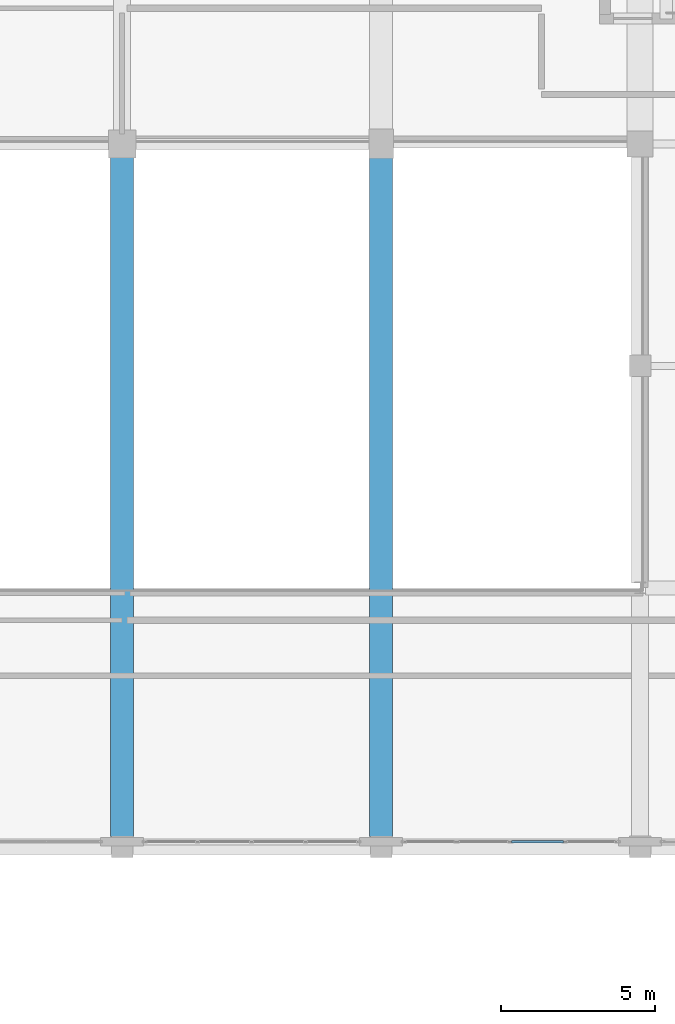
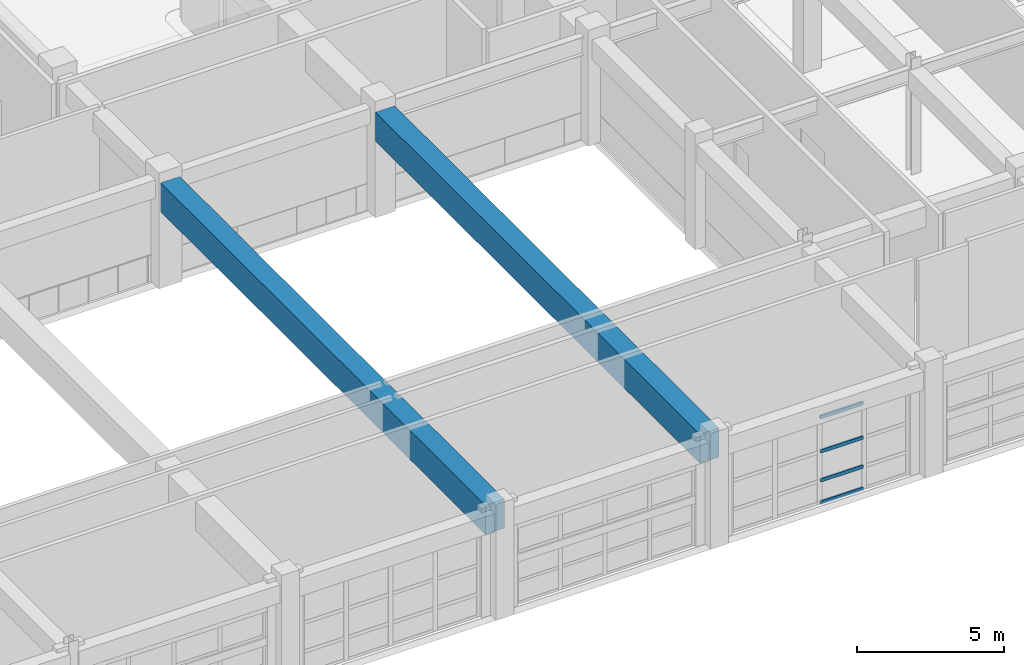
# One storey, part 52 of 123: 4 members, 2 beams, 1 element without a shape of its own.
"""IFC4 building model written with IfcOpenShell, lengths in metres."""

from ifc_helpers import new_model, si_unit, direction, frame, origin, origin_2d, place, context, subcontext, project, spatial, rectangle, hollow_rectangle, extrude, material, layer, layer_set, material_profile, profile_set, type_object, element, aggregate, save


model = new_model("IFC4")

# Units and contexts
model_context = context("Model", 3, precision=1e-05, world=origin(), true_north=direction((0.0, 1.0)))
body_context = subcontext(model_context, "Body", "Model", "MODEL_VIEW")
ifc_project = project(units=[si_unit("LENGTHUNIT", "METRE"), si_unit("AREAUNIT", "SQUARE_METRE"), si_unit("VOLUMEUNIT", "CUBIC_METRE"), si_unit("PLANEANGLEUNIT", "RADIAN"), si_unit("MASSUNIT", "GRAM", prefix="KILO")], contexts=[model_context])

# Site, building, storey
site_placement = place(None, origin())
site = spatial("IfcSite", under=ifc_project, at=site_placement, CompositionType="ELEMENT")
building_placement = place(site_placement, origin())
building = spatial("IfcBuilding", under=site, at=building_placement, Name="Quendrovan Civic Courthouse", CompositionType="ELEMENT")
storey_placement = place(building_placement, frame((0.0, 0.0, 5.39990234375)))
storey = spatial("IfcBuildingStorey", under=building, at=storey_placement, Name="L02", CompositionType="ELEMENT", Elevation=5.39990234375)

# Beams
ifc_material_1 = material(Name="Post-tensioned concrete C50/60", Category="concrete")
ifc_material_profile_1 = material_profile(ifc_material_1, rectangle(XDim=0.75, YDim=1.199951171875, at=origin_2d()), Name="PT-GIRD-750x1200")
ifc_profile_set_1 = profile_set([ifc_material_profile_1], Name="Post-tensioned concrete C50/60")
beam_type = type_object("IfcBeamType", Name="BM-PT1200", PredefinedType="BEAM", material=ifc_profile_set_1)
beam_1_placement = place(storey_placement, frame((67.199951171875, 65.1298828125, 3.760009765625), z_axis=(0.0, 1.0, 0.0), x_axis=(-1.0, 0.0, 0.0)))
element("IfcBeam", 1, at=beam_1_placement, inside=storey, type_object=beam_type, Name="L02 Girder Y0660", PredefinedType="BEAM", context=body_context, shape_type="SweptSolid", body=[
    extrude(rectangle(XDim=0.75, YDim=1.199951171875, at=origin_2d()), origin(), (0.0, 0.0, 1.0), 22.0400390625),
])
beam_2_placement = place(storey_placement, frame((75.60009765625, 65.1298828125, 3.760009765625), z_axis=(0.0, 1.0, 0.0), x_axis=(-1.0, 0.0, 0.0)))
element("IfcBeam", 2, at=beam_2_placement, inside=storey, type_object=beam_type, Name="L02 Girder Y0666", PredefinedType="BEAM", context=body_context, shape_type="SweptSolid", body=[
    extrude(rectangle(XDim=0.75, YDim=1.199951171875, at=origin_2d()), origin(), (0.0, 0.0, 1.0), 22.01513671875),
])

# Curtain wall, members
ifc_material_2 = material(Name="Bronze anodised aluminium and low-E glass", Category="aluminium")
ifc_layer = layer(ifc_material_2, 0.179931640625, Name="Bronze anodised aluminium and low-E glass")
ifc_layer_set = layer_set([ifc_layer], Name="Bronze anodised aluminium and low-E glass")
curtain_wall_type = type_object("IfcCurtainWallType", Name="CW-U70x36", PredefinedType="USERDEFINED", material=ifc_layer_set)
curtain_wall_placement = place(storey_placement, origin())
curtain_wall = element("IfcCurtainWall", 3, at=curtain_wall_placement, inside=storey, type_object=curtain_wall_type, Name="L02 Unitised Hurricane Curtain Wall CW-108", ObjectType="UNITISED CURTAIN WALL", PredefinedType="USERDEFINED")
ifc_material_3 = material(Name="Bronze anodised aluminium", Category="aluminium")
ifc_material_profile_2 = material_profile(ifc_material_3, hollow_rectangle(XDim=0.070068359375, YDim=0.139892578125, WallThickness=0.00390625, at=origin_2d()), Name="CW-TRAN-70x140")
ifc_profile_set_2 = profile_set([ifc_material_profile_2], Name="Bronze anodised aluminium")
member_type = type_object("IfcMemberType", Name="CW-TRAN-A", PredefinedType="USERDEFINED", material=ifc_profile_set_2)
member_1_placement = place(storey_placement, frame((81.514892578125, 64.965087890625, 0.03515625), z_axis=(-1.0, 0.0, 0.0), x_axis=(0.0, -1.0, 0.0)))
member_1 = element("IfcMember", 4, at=member_1_placement, type_object=member_type, Name="CW-108 transom 2.1", ObjectType="TRANSOM", PredefinedType="USERDEFINED", context=body_context, shape_type="SweptSolid", body=[
    extrude(hollow_rectangle(XDim=0.070068359375, YDim=0.139892578125, WallThickness=0.00390625, at=origin_2d()), origin(), (0.0, 0.0, 1.0), 1.679931640625),
])
member_2_placement = place(storey_placement, frame((81.514892578125, 64.965087890625, 0.9501953125), z_axis=(-1.0, 0.0, 0.0), x_axis=(0.0, -1.0, 0.0)))
member_2 = element("IfcMember", 5, at=member_2_placement, type_object=member_type, Name="CW-108 transom 2.2", ObjectType="TRANSOM", PredefinedType="USERDEFINED", context=body_context, shape_type="SweptSolid", body=[
    extrude(hollow_rectangle(XDim=0.070068359375, YDim=0.139892578125, WallThickness=0.00390625, at=origin_2d()), origin(), (0.0, 0.0, 1.0), 1.679931640625),
])
member_3_placement = place(storey_placement, frame((81.514892578125, 64.965087890625, 2.150146484375), z_axis=(-1.0, 0.0, 0.0), x_axis=(0.0, -1.0, 0.0)))
member_3 = element("IfcMember", 6, at=member_3_placement, type_object=member_type, Name="CW-108 transom 2.3", ObjectType="TRANSOM", PredefinedType="USERDEFINED", context=body_context, shape_type="SweptSolid", body=[
    extrude(hollow_rectangle(XDim=0.070068359375, YDim=0.139892578125, WallThickness=0.00390625, at=origin_2d()), origin(), (0.0, 0.0, 1.0), 1.679931640625),
])
member_4_placement = place(storey_placement, frame((81.514892578125, 64.965087890625, 3.565185546875), z_axis=(-1.0, 0.0, 0.0), x_axis=(0.0, -1.0, 0.0)))
member_4 = element("IfcMember", 7, at=member_4_placement, type_object=member_type, Name="CW-108 transom 2.4", ObjectType="TRANSOM", PredefinedType="USERDEFINED", context=body_context, shape_type="SweptSolid", body=[
    extrude(hollow_rectangle(XDim=0.070068359375, YDim=0.139892578125, WallThickness=0.00390625, at=origin_2d()), origin(), (0.0, 0.0, 1.0), 1.679931640625),
])
aggregate(curtain_wall, [member_1, member_2, member_3, member_4])

save(model, "model.ifc")
